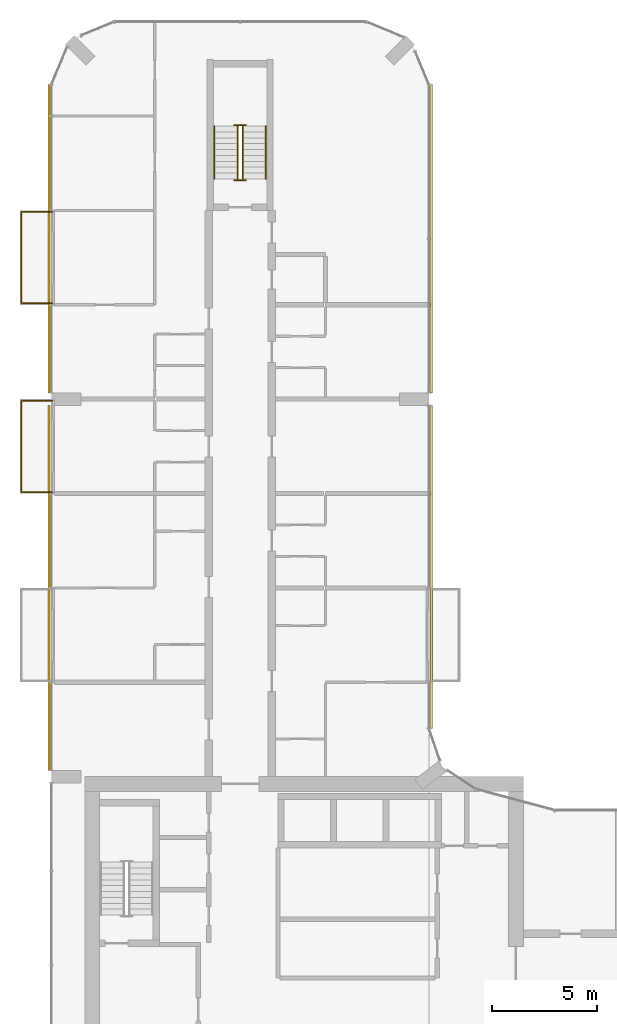
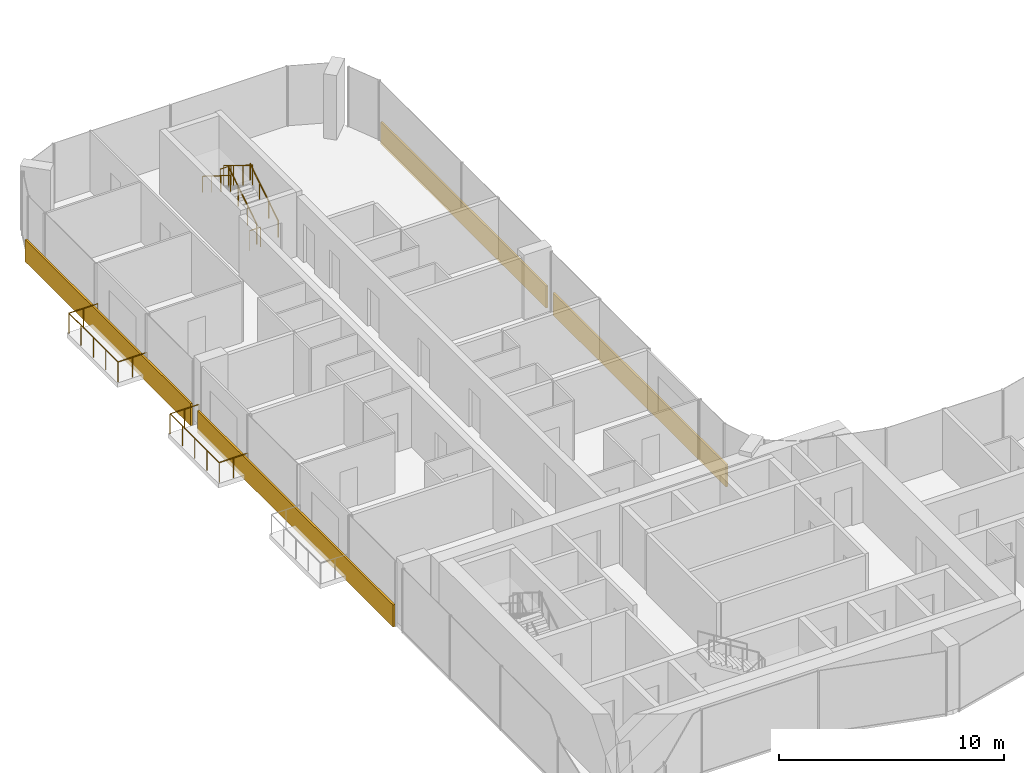
# One storey, part 21 of 22: 8 railings, 4 coverings.
"""IFC4 building model written with IfcOpenShell, lengths in metres."""

from ifc_helpers import new_model, si_unit, direction, frame, origin, origin_2d, place, context, subcontext, project, spatial, rectangle, circle, extrude, material, layer, layer_set, type_object, element, save


model = new_model("IFC4")

# Units and contexts
model_context = context("Model", 3, precision=1e-05, world=origin(), true_north=direction((0.0, 1.0)))
body_context = subcontext(model_context, "Body", "Model", "MODEL_VIEW")
ifc_project = project(units=[si_unit("LENGTHUNIT", "METRE"), si_unit("AREAUNIT", "SQUARE_METRE"), si_unit("VOLUMEUNIT", "CUBIC_METRE"), si_unit("PLANEANGLEUNIT", "RADIAN"), si_unit("MASSUNIT", "GRAM", prefix="KILO")], contexts=[model_context])

# Site, building, storey
site_placement = place(None, origin())
site = spatial("IfcSite", under=ifc_project, at=site_placement, CompositionType="ELEMENT")
building_placement = place(site_placement, origin())
building = spatial("IfcBuilding", under=site, at=building_placement, Name="Plateau Cross Towers", CompositionType="ELEMENT")
storey_placement = place(building_placement, frame((0.0, 0.0, 61.800048828125)))
storey = spatial("IfcBuildingStorey", under=building, at=storey_placement, Name="L15", CompositionType="ELEMENT", Elevation=61.800048828125)

# Railings
ifc_material_1 = material(Name="Stainless steel and toughened glass", Category="steel")
railing_type_1 = type_object("IfcRailingType", Name="Glass balustrade guard 1100", PredefinedType="GUARDRAIL", material=ifc_material_1)
for number, where, name in (
    (1, (0.050048828125, 31.570068359375, 0.0), "Guard guard1"),
    (2, (0.050048828125, 40.570068359375, 0.0), "Guard guard1"),
):
    element("IfcRailing", number, at=place(storey_placement, frame(where)), inside=storey, type_object=railing_type_1, Name=name, PredefinedType="GUARDRAIL", context=body_context, shape_type="SweptSolid", body=[
        extrude(circle(Radius=0.02392578125, at=origin_2d()), frame((0.0, 0.0, 1.076171875), z_axis=(-1.0, 0.0, 0.0), x_axis=(0.0, -1.0, 0.0)), (0.0, 0.0, 1.0), 1.47998046875),
        extrude(circle(Radius=0.02392578125, at=origin_2d()), frame((-1.47998046875, 0.0, 1.076171875), z_axis=(0.0, 1.0, 0.0), x_axis=(-1.0, 0.0, 0.0)), (0.0, 0.0, 1.0), 4.35986328125),
        extrude(circle(Radius=0.02392578125, at=origin_2d()), frame((-1.47998046875, 4.35986328125, 1.076171875), z_axis=(1.0, 0.0, 0.0), x_axis=(0.0, 1.0, 0.0)), (0.0, 0.0, 1.0), 1.47998046875),
        extrude(circle(Radius=0.02099609375, at=origin_2d()), origin(), (0.0, 0.0, 1.0), 1.052001953125),
        extrude(circle(Radius=0.02099609375, at=origin_2d()), frame((-0.739990234375, 0.0, 0.0)), (0.0, 0.0, 1.0), 1.052001953125),
        extrude(circle(Radius=0.02099609375, at=origin_2d()), frame((-1.47998046875, 0.0, 0.0)), (0.0, 0.0, 1.0), 1.052001953125),
        extrude(circle(Radius=0.02099609375, at=origin_2d()), frame((-1.47998046875, 1.08984375, 0.0)), (0.0, 0.0, 1.0), 1.052001953125),
        extrude(circle(Radius=0.02099609375, at=origin_2d()), frame((-1.47998046875, 2.179931640625, 0.0)), (0.0, 0.0, 1.0), 1.052001953125),
        extrude(circle(Radius=0.02099609375, at=origin_2d()), frame((-1.47998046875, 3.27001953125, 0.0)), (0.0, 0.0, 1.0), 1.052001953125),
        extrude(circle(Radius=0.02099609375, at=origin_2d()), frame((-1.47998046875, 4.35986328125, 0.0)), (0.0, 0.0, 1.0), 1.052001953125),
        extrude(circle(Radius=0.02099609375, at=origin_2d()), frame((-0.739990234375, 4.35986328125, 0.0)), (0.0, 0.0, 1.0), 1.052001953125),
        extrude(circle(Radius=0.02099609375, at=origin_2d()), frame((0.0, 4.35986328125, 0.0)), (0.0, 0.0, 1.0), 1.052001953125),
    ])
railing_type_2 = type_object("IfcRailingType", Name="RL-GUARD-1100", PredefinedType="GUARDRAIL", material=ifc_material_1)
railing_1_placement = place(storey_placement, frame((9.125, 46.5, 0.175048828125)))
element("IfcRailing", 3, at=railing_1_placement, inside=storey, type_object=railing_type_2, Name="L15 ES-N stair guard 1", PredefinedType="GUARDRAIL", context=body_context, shape_type="SweptSolid", body=[
    extrude(circle(Radius=0.02392578125, at=origin_2d()), frame((0.0, 0.0, 1.076171875), z_axis=(0.0, 0.848007534815, 0.529984170421), x_axis=(-1.0, 0.0, 0.0)), (0.0, 0.0, 1.0), 2.9716796875),
    extrude(circle(Radius=0.02099609375, at=origin_2d()), origin(), (0.0, 0.0, 1.0), 1.052001953125),
    extrude(circle(Radius=0.02099609375, at=origin_2d()), frame((0.0, 0.840087890625, 0.52490234375)), (0.0, 0.0, 1.0), 1.052001953125),
    extrude(circle(Radius=0.02099609375, at=origin_2d()), frame((0.0, 1.679931640625, 1.050048828125)), (0.0, 0.0, 1.0), 1.052001953125),
    extrude(circle(Radius=0.02099609375, at=origin_2d()), frame((0.0, 2.52001953125, 1.574951171875)), (0.0, 0.0, 1.0), 1.052001953125),
])
railing_2_placement = place(storey_placement, frame((9.27490234375, 49.070068359375, 1.75)))
element("IfcRailing", 4, at=railing_2_placement, inside=storey, type_object=railing_type_2, Name="L15 ES-N stair guard 2", PredefinedType="GUARDRAIL", context=body_context, shape_type="SweptSolid", body=[
    extrude(circle(Radius=0.02392578125, at=origin_2d()), frame((0.0, 0.0, 1.076171875), z_axis=(-1.0, 0.0, 0.0), x_axis=(0.0, -1.0, 0.0)), (0.0, 0.0, 1.0), 0.5498046875),
    extrude(circle(Radius=0.02099609375, at=origin_2d()), origin(), (0.0, 0.0, 1.0), 1.052001953125),
    extrude(circle(Radius=0.02099609375, at=origin_2d()), frame((-0.5498046875, 0.0, 0.0)), (0.0, 0.0, 1.0), 1.052001953125),
])
railing_3_placement = place(storey_placement, frame((8.875, 49.02001953125, 1.925048828125)))
element("IfcRailing", 5, at=railing_3_placement, inside=storey, type_object=railing_type_2, Name="L15 ES-N stair guard 3", PredefinedType="GUARDRAIL", context=body_context, shape_type="SweptSolid", body=[
    extrude(circle(Radius=0.02392578125, at=origin_2d()), frame((0.0, 0.0, 1.076171875), z_axis=(0.0, -0.852638500773, 0.522501279423), x_axis=(1.0, 0.0, 0.0)), (0.0, 0.0, 1.0), 3.01416015625),
    extrude(circle(Radius=0.02099609375, at=origin_2d()), origin(), (0.0, 0.0, 1.0), 1.052001953125),
    extrude(circle(Radius=0.02099609375, at=origin_2d()), frame((0.0, -0.856689453125, 0.52490234375)), (0.0, 0.0, 1.0), 1.052001953125),
    extrude(circle(Radius=0.02099609375, at=origin_2d()), frame((0.0, -1.71337890625, 1.050048828125)), (0.0, 0.0, 1.0), 1.052001953125),
    extrude(circle(Radius=0.02099609375, at=origin_2d()), frame((0.0, -2.570068359375, 1.574951171875)), (0.0, 0.0, 1.0), 1.052001953125),
])
railing_4_placement = place(storey_placement, frame((9.27490234375, 46.449951171875, 0.0)))
element("IfcRailing", 6, at=railing_4_placement, inside=storey, type_object=railing_type_2, Name="L15 ES-N stair guard 4", PredefinedType="GUARDRAIL", context=body_context, shape_type="SweptSolid", body=[
    extrude(circle(Radius=0.02392578125, at=origin_2d()), frame((0.0, 0.0, 1.076171875), z_axis=(-1.0, 0.0, 0.0), x_axis=(0.0, -1.0, 0.0)), (0.0, 0.0, 1.0), 0.5498046875),
    extrude(circle(Radius=0.02099609375, at=origin_2d()), origin(), (0.0, 0.0, 1.0), 1.052001953125),
    extrude(circle(Radius=0.02099609375, at=origin_2d()), frame((-0.5498046875, 0.0, 0.0)), (0.0, 0.0, 1.0), 1.052001953125),
])
ifc_material_2 = material(Name="Black anodised aluminium", Category="aluminium")
railing_type_3 = type_object("IfcRailingType", Name="RL-HANDRAIL-900", PredefinedType="HANDRAIL", material=ifc_material_2)
railing_5_placement = place(storey_placement, frame((10.22509765625, 46.5, 0.175048828125)))
element("IfcRailing", 7, at=railing_5_placement, inside=storey, type_object=railing_type_3, Name="L15 ES-N stair handrail 1", PredefinedType="HANDRAIL", context=body_context, shape_type="SweptSolid", body=[
    extrude(circle(Radius=0.02392578125, at=origin_2d()), frame((0.0, 0.0, 0.8759765625), z_axis=(0.0, 0.848007534815, 0.529984170421), x_axis=(-1.0, 0.0, 0.0)), (0.0, 0.0, 1.0), 2.9716796875),
    extrude(circle(Radius=0.02099609375, at=origin_2d()), origin(), (0.0, 0.0, 1.0), 0.851806640625),
    extrude(circle(Radius=0.02099609375, at=origin_2d()), frame((0.0, 0.840087890625, 0.52490234375)), (0.0, 0.0, 1.0), 0.851806640625),
    extrude(circle(Radius=0.02099609375, at=origin_2d()), frame((0.0, 1.679931640625, 1.050048828125)), (0.0, 0.0, 1.0), 0.851806640625),
    extrude(circle(Radius=0.02099609375, at=origin_2d()), frame((0.0, 2.52001953125, 1.574951171875)), (0.0, 0.0, 1.0), 0.851806640625),
])
railing_6_placement = place(storey_placement, frame((7.77490234375, 49.02001953125, 1.925048828125)))
element("IfcRailing", 8, at=railing_6_placement, inside=storey, type_object=railing_type_3, Name="L15 ES-N stair handrail 2", PredefinedType="HANDRAIL", context=body_context, shape_type="SweptSolid", body=[
    extrude(circle(Radius=0.02392578125, at=origin_2d()), frame((0.0, 0.0, 0.8759765625), z_axis=(0.0, -0.848007534815, 0.529984170421), x_axis=(1.0, 0.0, 0.0)), (0.0, 0.0, 1.0), 2.9716796875),
    extrude(circle(Radius=0.02099609375, at=origin_2d()), origin(), (0.0, 0.0, 1.0), 0.851806640625),
    extrude(circle(Radius=0.02099609375, at=origin_2d()), frame((0.0, -0.840087890625, 0.52490234375)), (0.0, 0.0, 1.0), 0.851806640625),
    extrude(circle(Radius=0.02099609375, at=origin_2d()), frame((0.0, -1.679931640625, 1.050048828125)), (0.0, 0.0, 1.0), 0.851806640625),
    extrude(circle(Radius=0.02099609375, at=origin_2d()), frame((0.0, -2.52001953125, 1.574951171875)), (0.0, 0.0, 1.0), 0.851806640625),
])

# Coverings
ifc_material_3 = material(Name="Precast concrete cladding C40/50", Category="concrete")
ifc_layer = layer(ifc_material_3, 0.10009765625)
ifc_layer_set = layer_set([ifc_layer], Name="Precast concrete cladding C40/50")
covering_type = type_object("IfcCoveringType", Name="Spandrel band cladding 100x1200", PredefinedType="CLADDING", material=ifc_layer_set)
covering_1_placement = place(storey_placement, frame((18.1201171875, 28.001220703125, -0.25), z_axis=(0.0, 0.0, 1.0), x_axis=(0.0, 1.0, 0.0)))
element("IfcCovering", 9, at=covering_1_placement, inside=storey, type_object=covering_type, Name="Spandrel band", PredefinedType="CLADDING", context=body_context, shape_type="SweptSolid", body=[
    extrude(rectangle(XDim=15.397705078125, YDim=0.10009765625, at=origin_2d()), origin(), (0.0, 0.0, 1.0), 1.199951171875),
])
for number, where, z_axis, x_axis, name in (
    (10, (18.1201171875, 43.64990234375, -0.25), (0.0, 0.0, 1.0), (0.0, 1.0, 0.0), "Spandrel band"),
    (11, (-0.1201171875, 43.64990234375, -0.25), (0.0, 0.0, 1.0), (0.0, -1.0, 0.0), "Spandrel band"),
):
    element("IfcCovering", number, at=place(storey_placement, frame(where, z_axis=z_axis, x_axis=x_axis)), inside=storey, type_object=covering_type, Name=name, PredefinedType="CLADDING", context=body_context, shape_type="SweptSolid", body=[
        extrude(rectangle(XDim=14.699951171875, YDim=0.10009765625, at=origin_2d()), origin(), (0.0, 0.0, 1.0), 1.199951171875),
    ])
covering_2_placement = place(storey_placement, frame((-0.1201171875, 27.0, -0.25), z_axis=(0.0, 0.0, 1.0), x_axis=(0.0, -1.0, 0.0)))
element("IfcCovering", 12, at=covering_2_placement, inside=storey, type_object=covering_type, Name="Spandrel band", PredefinedType="CLADDING", context=body_context, shape_type="SweptSolid", body=[
    extrude(rectangle(XDim=17.39990234375, YDim=0.10009765625, at=origin_2d()), origin(), (0.0, 0.0, 1.0), 1.199951171875),
])

save(model, "model.ifc")
